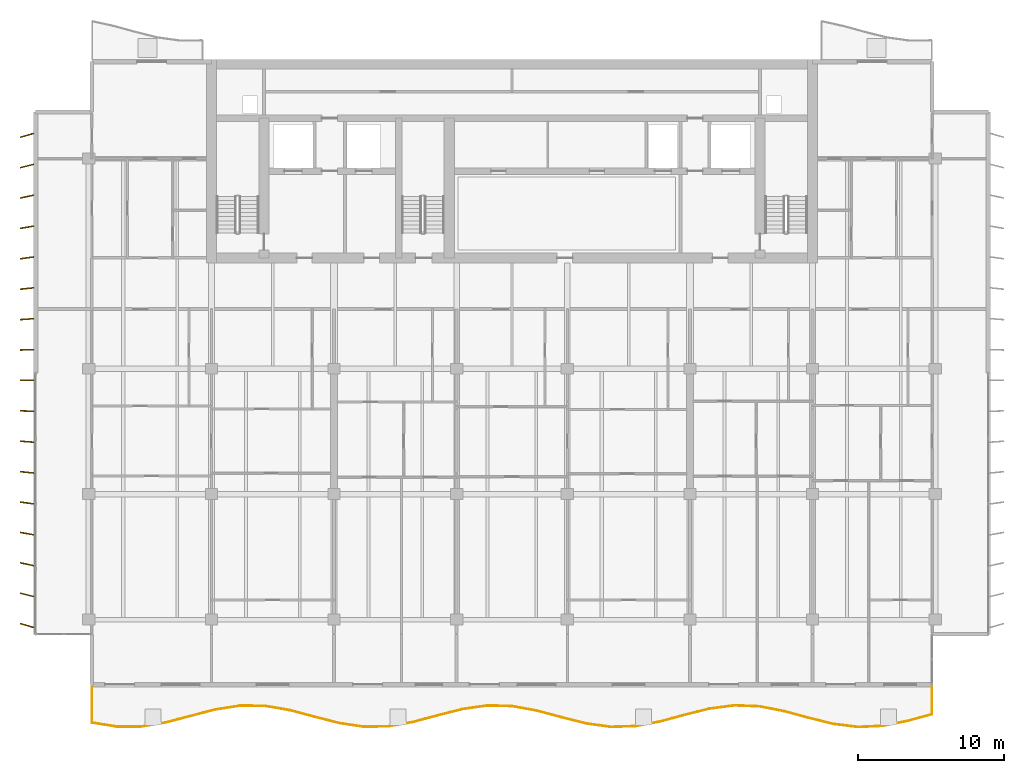
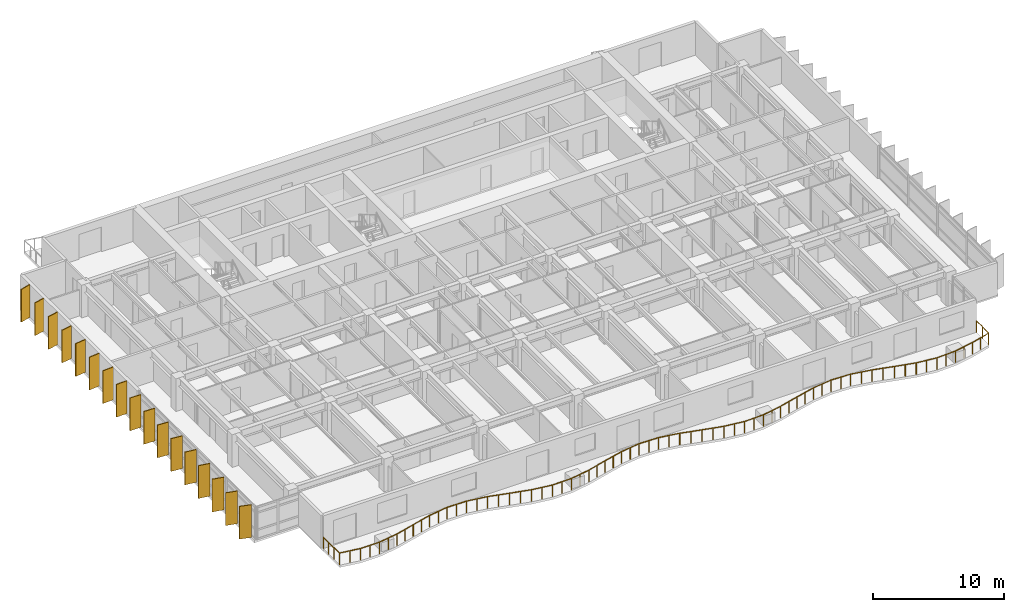
# One storey, part 16 of 19: 17 shading devices, 1 railing.
"""IFC4 building model written with IfcOpenShell, lengths in metres."""

from ifc_helpers import new_model, si_unit, direction, frame, origin, origin_2d, place, context, subcontext, project, spatial, rectangle, circle, extrude, material, material_profile, profile_set, type_object, element, save


model = new_model("IFC4")

# Units and contexts
model_context = context("Model", 3, precision=1e-05, world=origin(), true_north=direction((0.0, 1.0)))
body_context = subcontext(model_context, "Body", "Model", "MODEL_VIEW")
ifc_project = project(units=[si_unit("LENGTHUNIT", "METRE"), si_unit("AREAUNIT", "SQUARE_METRE"), si_unit("VOLUMEUNIT", "CUBIC_METRE"), si_unit("PLANEANGLEUNIT", "RADIAN"), si_unit("MASSUNIT", "GRAM", prefix="KILO")], contexts=[model_context])

# Site, building, storey
site_placement = place(None, origin())
site = spatial("IfcSite", under=ifc_project, at=site_placement, CompositionType="ELEMENT")
building_placement = place(site_placement, origin())
building = spatial("IfcBuilding", under=site, at=building_placement, Name="Caelmar Bay Residences", CompositionType="ELEMENT")
storey_placement = place(building_placement, frame((0.0, 0.0, 195.0)))
storey = spatial("IfcBuildingStorey", under=building, at=storey_placement, Name="L54", CompositionType="ELEMENT", Elevation=195.0)

# Railing
ifc_material_1 = material(Name="Anodised bronze handrail with laminated hurricane glass infill", Category="glass")
railing_type = type_object("IfcRailingType", Name="RL-BAL-1100", PredefinedType="BALUSTRADE", material=ifc_material_1)
railing_placement = place(storey_placement, frame((10.10009765625, 7.60009765625, 0.0)))
element("IfcRailing", 1, at=railing_placement, inside=storey, type_object=railing_type, Name="L54 south Balcony Balustrade", PredefinedType="BALUSTRADE", context=body_context, shape_type="SweptSolid", body=[
    extrude(circle(Radius=0.02392578125, at=origin_2d()), frame((0.0, 0.0, 1.076171875), z_axis=(0.0, -1.0, 0.0), x_axis=(1.0, 0.0, 0.0)), (0.0, 0.0, 1.0), 2.4609375),
    extrude(circle(Radius=0.02392578125, at=origin_2d()), frame((0.0, -2.4609375, 1.076171875), z_axis=(0.987200688163, -0.159482918494, 0.0), x_axis=(0.159482918494, 0.987200688163, 0.0)), (0.0, 0.0, 1.0), 1.716064453125),
    extrude(circle(Radius=0.02392578125, at=origin_2d()), frame((1.694091796875, -2.734619140625, 1.076171875), z_axis=(0.999997663546, 0.002161689718, 0.0), x_axis=(-0.002161689718, 0.999997663546, 0.0)), (0.0, 0.0, 1.0), 1.694091796875),
    extrude(circle(Radius=0.02392578125, at=origin_2d()), frame((3.38818359375, -2.73095703125, 1.076171875), z_axis=(0.986657806254, 0.162807780395, 0.0), x_axis=(-0.162807780395, 0.986657806254, 0.0)), (0.0, 0.0, 1.0), 1.717041015625),
    extrude(circle(Radius=0.02392578125, at=origin_2d()), frame((5.082275390625, -2.451416015625, 1.076171875), z_axis=(0.96690465537, 0.255137977228, 0.0), x_axis=(-0.255137977228, 0.96690465537, 0.0)), (0.0, 0.0, 1.0), 1.752197265625),
    extrude(circle(Radius=0.02392578125, at=origin_2d()), frame((6.7763671875, -2.00439453125, 1.076171875), z_axis=(0.967759300858, 0.25187682625, 0.0), x_axis=(-0.25187682625, 0.967759300858, 0.0)), (0.0, 0.0, 1.0), 1.75048828125),
    extrude(circle(Radius=0.02392578125, at=origin_2d()), frame((8.470458984375, -1.5634765625, 1.076171875), z_axis=(0.988103488903, 0.153790426288, 0.0), x_axis=(-0.153790426288, 0.988103488903, 0.0)), (0.0, 0.0, 1.0), 1.714599609375),
    extrude(circle(Radius=0.02392578125, at=origin_2d()), frame((10.16455078125, -1.2998046875, 1.076171875), z_axis=(0.999954769162, -0.009511026771, 0.0), x_axis=(0.009511026771, 0.999954769162, 0.0)), (0.0, 0.0, 1.0), 1.694091796875),
    extrude(circle(Radius=0.02392578125, at=origin_2d()), frame((11.858642578125, -1.31591796875, 1.076171875), z_axis=(0.985729527145, -0.168336862612, 0.0), x_axis=(0.168336862612, 0.985729527145, 0.0)), (0.0, 0.0, 1.0), 1.718505859375),
    extrude(circle(Radius=0.02392578125, at=origin_2d()), frame((13.552734375, -1.605224609375, 1.076171875), z_axis=(0.966431118361, -0.256925852072, 0.0), x_axis=(0.256925852072, 0.966431118361, 0.0)), (0.0, 0.0, 1.0), 1.753173828125),
    extrude(circle(Radius=0.02392578125, at=origin_2d()), frame((15.2470703125, -2.0556640625, 1.076171875), z_axis=(0.968335023776, -0.249654324475, 0.0), x_axis=(0.249654324475, 0.968335023776, 0.0)), (0.0, 0.0, 1.0), 1.74951171875),
    extrude(circle(Radius=0.02392578125, at=origin_2d()), frame((16.941162109375, -2.492431640625, 1.076171875), z_axis=(0.989016707165, -0.147803764999, 0.0), x_axis=(0.147803764999, 0.989016707165, 0.0)), (0.0, 0.0, 1.0), 1.712890625),
    extrude(circle(Radius=0.02392578125, at=origin_2d()), frame((18.63525390625, -2.74560546875, 1.076171875), z_axis=(0.99986029846, 0.016714770806, 0.0), x_axis=(-0.016714770806, 0.99986029846, 0.0)), (0.0, 0.0, 1.0), 1.6943359375),
    extrude(circle(Radius=0.02392578125, at=origin_2d()), frame((20.329345703125, -2.71728515625, 1.076171875), z_axis=(0.984772127014, 0.173850101685, 0.0), x_axis=(-0.173850101685, 0.984772127014, 0.0)), (0.0, 0.0, 1.0), 1.72021484375),
    extrude(circle(Radius=0.02392578125, at=origin_2d()), frame((22.0234375, -2.418212890625, 1.076171875), z_axis=(0.965971035188, 0.258650264214, 0.0), x_axis=(-0.258650264214, 0.965971035188, 0.0)), (0.0, 0.0, 1.0), 1.753662109375),
    extrude(circle(Radius=0.02392578125, at=origin_2d()), frame((23.717529296875, -1.964599609375, 1.076171875), z_axis=(0.969006670271, 0.247034558252, 0.0), x_axis=(-0.247034558252, 0.969006670271, 0.0)), (0.0, 0.0, 1.0), 1.748291015625),
    extrude(circle(Radius=0.02392578125, at=origin_2d()), frame((25.41162109375, -1.53271484375, 1.076171875), z_axis=(0.989875177467, 0.141940596855, 0.0), x_axis=(-0.141940596855, 0.989875177467, 0.0)), (0.0, 0.0, 1.0), 1.71142578125),
    extrude(circle(Radius=0.02392578125, at=origin_2d()), frame((27.105712890625, -1.289794921875, 1.076171875), z_axis=(0.99971051867, -0.024059901516, 0.0), x_axis=(0.024059901516, 0.99971051867, 0.0)), (0.0, 0.0, 1.0), 1.694580078125),
    extrude(circle(Radius=0.02392578125, at=origin_2d()), frame((28.7998046875, -1.33056640625, 1.076171875), z_axis=(0.983835864254, -0.179072589214, 0.0), x_axis=(0.179072589214, 0.983835864254, 0.0)), (0.0, 0.0, 1.0), 1.721923828125),
    extrude(circle(Radius=0.02392578125, at=origin_2d()), frame((30.493896484375, -1.638916015625, 1.076171875), z_axis=(0.965587538221, -0.26007826905, 0.0), x_axis=(0.26007826905, 0.965587538221, 0.0)), (0.0, 0.0, 1.0), 1.75439453125),
    extrude(circle(Radius=0.02392578125, at=origin_2d()), frame((32.18798828125, -2.09521484375, 1.076171875), z_axis=(0.96964737028, -0.244507622189, 0.0), x_axis=(0.244507622189, 0.96964737028, 0.0)), (0.0, 0.0, 1.0), 1.747314453125),
    extrude(circle(Radius=0.02392578125, at=origin_2d()), frame((33.88232421875, -2.5224609375, 1.076171875), z_axis=(0.990738714669, -0.135782175767, 0.0), x_axis=(0.135782175767, 0.990738714669, 0.0)), (0.0, 0.0, 1.0), 1.7099609375),
    extrude(circle(Radius=0.02392578125, at=origin_2d()), frame((35.576416015625, -2.754638671875, 1.076171875), z_axis=(0.999511373188, 0.031257237063, 0.0), x_axis=(-0.031257237063, 0.999511373188, 0.0)), (0.0, 0.0, 1.0), 1.69482421875),
    extrude(circle(Radius=0.02392578125, at=origin_2d()), frame((37.2705078125, -2.70166015625, 1.076171875), z_axis=(0.982899436849, 0.184143142802, 0.0), x_axis=(-0.184143142802, 0.982899436849, 0.0)), (0.0, 0.0, 1.0), 1.7236328125),
    extrude(circle(Radius=0.02392578125, at=origin_2d()), frame((38.964599609375, -2.38427734375, 1.076171875), z_axis=(0.965202237959, 0.261504569443, 0.0), x_axis=(-0.261504569443, 0.965202237959, 0.0)), (0.0, 0.0, 1.0), 1.755126953125),
    extrude(circle(Radius=0.02392578125, at=origin_2d()), frame((40.65869140625, -1.92529296875, 1.076171875), z_axis=(0.970331396698, 0.241778784391, 0.0), x_axis=(-0.241778784391, 0.970331396698, 0.0)), (0.0, 0.0, 1.0), 1.745849609375),
    extrude(circle(Radius=0.02392578125, at=origin_2d()), frame((42.352783203125, -1.503173828125, 1.076171875), z_axis=(0.99156771433, 0.129589613386, 0.0), x_axis=(-0.129589613386, 0.99156771433, 0.0)), (0.0, 0.0, 1.0), 1.708740234375),
    extrude(circle(Radius=0.02392578125, at=origin_2d()), frame((44.047119140625, -1.28173828125, 1.076171875), z_axis=(0.999260536356, -0.038449713677, 0.0), x_axis=(0.038449713677, 0.999260536356, 0.0)), (0.0, 0.0, 1.0), 1.6953125),
    extrude(circle(Radius=0.02392578125, at=origin_2d()), frame((45.7412109375, -1.346923828125, 1.076171875), z_axis=(0.981938757923, -0.189199037231, 0.0), x_axis=(0.189199037231, 0.981938757923, 0.0)), (0.0, 0.0, 1.0), 1.725341796875),
    extrude(circle(Radius=0.02392578125, at=origin_2d()), frame((47.435302734375, -1.67333984375, 1.076171875), z_axis=(0.964885656026, -0.262670270101, 0.0), x_axis=(0.262670270101, 0.964885656026, 0.0)), (0.0, 0.0, 1.0), 1.755859375),
    extrude(circle(Radius=0.02392578125, at=origin_2d()), frame((49.12939453125, -2.134521484375, 1.076171875), z_axis=(0.971081799803, -0.238747016928, 0.0), x_axis=(0.238747016928, 0.971081799803, 0.0)), (0.0, 0.0, 1.0), 1.74462890625),
    extrude(circle(Radius=0.02392578125, at=origin_2d()), frame((50.823486328125, -2.551025390625, 1.076171875), z_axis=(0.992354691508, -0.123418662454, 0.0), x_axis=(0.123418662454, 0.992354691508, 0.0)), (0.0, 0.0, 1.0), 1.70703125),
    extrude(circle(Radius=0.02392578125, at=origin_2d()), frame((52.517578125, -2.76171875, 1.076171875), z_axis=(0.998958124993, 0.045636219286, 0.0), x_axis=(-0.045636219286, 0.998958124993, 0.0)), (0.0, 0.0, 1.0), 1.69580078125),
    extrude(circle(Radius=0.02392578125, at=origin_2d()), frame((54.211669921875, -2.684326171875, 1.076171875), z_axis=(0.98098097861, 0.194103888692, 0.0), x_axis=(-0.194103888692, 0.98098097861, 0.0)), (0.0, 0.0, 1.0), 1.72705078125),
    extrude(circle(Radius=0.02392578125, at=origin_2d()), frame((55.90576171875, -2.34912109375, 1.076171875), z_axis=(0.964638596913, 0.263576131971, 0.0), x_axis=(-0.263576131971, 0.964638596913, 0.0)), (0.0, 0.0, 1.0), 1.756103515625),
    extrude(circle(Radius=0.02392578125, at=origin_2d()), frame((57.599853515625, -1.88623046875, 1.076171875), z_axis=(0.0, 1.0, 0.0), x_axis=(-1.0, 0.0, 0.0)), (0.0, 0.0, 1.0), 1.88623046875),
    extrude(circle(Radius=0.02099609375, at=origin_2d()), origin(), (0.0, 0.0, 1.0), 1.052001953125),
    extrude(circle(Radius=0.02099609375, at=origin_2d()), frame((0.0, -0.8203125, 0.0)), (0.0, 0.0, 1.0), 1.052001953125),
    extrude(circle(Radius=0.02099609375, at=origin_2d()), frame((0.0, -1.640625, 0.0)), (0.0, 0.0, 1.0), 1.052001953125),
    extrude(circle(Radius=0.02099609375, at=origin_2d()), frame((0.0, -2.4609375, 0.0)), (0.0, 0.0, 1.0), 1.052001953125),
    extrude(circle(Radius=0.02099609375, at=origin_2d()), frame((0.84716796875, -2.59765625, 0.0)), (0.0, 0.0, 1.0), 1.052001953125),
    extrude(circle(Radius=0.02099609375, at=origin_2d()), frame((1.694091796875, -2.734619140625, 0.0)), (0.0, 0.0, 1.0), 1.052001953125),
    extrude(circle(Radius=0.02099609375, at=origin_2d()), frame((2.541015625, -2.73291015625, 0.0)), (0.0, 0.0, 1.0), 1.052001953125),
    extrude(circle(Radius=0.02099609375, at=origin_2d()), frame((3.38818359375, -2.73095703125, 0.0)), (0.0, 0.0, 1.0), 1.052001953125),
    extrude(circle(Radius=0.02099609375, at=origin_2d()), frame((4.2353515625, -2.59130859375, 0.0)), (0.0, 0.0, 1.0), 1.052001953125),
    extrude(circle(Radius=0.02099609375, at=origin_2d()), frame((5.082275390625, -2.451416015625, 0.0)), (0.0, 0.0, 1.0), 1.052001953125),
    extrude(circle(Radius=0.02099609375, at=origin_2d()), frame((5.92919921875, -2.22802734375, 0.0)), (0.0, 0.0, 1.0), 1.052001953125),
    extrude(circle(Radius=0.02099609375, at=origin_2d()), frame((6.7763671875, -2.00439453125, 0.0)), (0.0, 0.0, 1.0), 1.052001953125),
    extrude(circle(Radius=0.02099609375, at=origin_2d()), frame((7.62353515625, -1.783935546875, 0.0)), (0.0, 0.0, 1.0), 1.052001953125),
    extrude(circle(Radius=0.02099609375, at=origin_2d()), frame((8.470458984375, -1.5634765625, 0.0)), (0.0, 0.0, 1.0), 1.052001953125),
    extrude(circle(Radius=0.02099609375, at=origin_2d()), frame((9.3173828125, -1.431640625, 0.0)), (0.0, 0.0, 1.0), 1.052001953125),
    extrude(circle(Radius=0.02099609375, at=origin_2d()), frame((10.16455078125, -1.2998046875, 0.0)), (0.0, 0.0, 1.0), 1.052001953125),
    extrude(circle(Radius=0.02099609375, at=origin_2d()), frame((11.01171875, -1.307861328125, 0.0)), (0.0, 0.0, 1.0), 1.052001953125),
    extrude(circle(Radius=0.02099609375, at=origin_2d()), frame((11.858642578125, -1.31591796875, 0.0)), (0.0, 0.0, 1.0), 1.052001953125),
    extrude(circle(Radius=0.02099609375, at=origin_2d()), frame((12.70556640625, -1.46044921875, 0.0)), (0.0, 0.0, 1.0), 1.052001953125),
    extrude(circle(Radius=0.02099609375, at=origin_2d()), frame((13.552734375, -1.605224609375, 0.0)), (0.0, 0.0, 1.0), 1.052001953125),
    extrude(circle(Radius=0.02099609375, at=origin_2d()), frame((14.39990234375, -1.83056640625, 0.0)), (0.0, 0.0, 1.0), 1.052001953125),
    extrude(circle(Radius=0.02099609375, at=origin_2d()), frame((15.2470703125, -2.0556640625, 0.0)), (0.0, 0.0, 1.0), 1.052001953125),
    extrude(circle(Radius=0.02099609375, at=origin_2d()), frame((16.09423828125, -2.27392578125, 0.0)), (0.0, 0.0, 1.0), 1.052001953125),
    extrude(circle(Radius=0.02099609375, at=origin_2d()), frame((16.941162109375, -2.492431640625, 0.0)), (0.0, 0.0, 1.0), 1.052001953125),
    extrude(circle(Radius=0.02099609375, at=origin_2d()), frame((17.7880859375, -2.619140625, 0.0)), (0.0, 0.0, 1.0), 1.052001953125),
    extrude(circle(Radius=0.02099609375, at=origin_2d()), frame((18.63525390625, -2.74560546875, 0.0)), (0.0, 0.0, 1.0), 1.052001953125),
    extrude(circle(Radius=0.02099609375, at=origin_2d()), frame((19.482421875, -2.7314453125, 0.0)), (0.0, 0.0, 1.0), 1.052001953125),
    extrude(circle(Radius=0.02099609375, at=origin_2d()), frame((20.329345703125, -2.71728515625, 0.0)), (0.0, 0.0, 1.0), 1.052001953125),
    extrude(circle(Radius=0.02099609375, at=origin_2d()), frame((21.17626953125, -2.56787109375, 0.0)), (0.0, 0.0, 1.0), 1.052001953125),
    extrude(circle(Radius=0.02099609375, at=origin_2d()), frame((22.0234375, -2.418212890625, 0.0)), (0.0, 0.0, 1.0), 1.052001953125),
    extrude(circle(Radius=0.02099609375, at=origin_2d()), frame((22.87060546875, -2.19140625, 0.0)), (0.0, 0.0, 1.0), 1.052001953125),
    extrude(circle(Radius=0.02099609375, at=origin_2d()), frame((23.717529296875, -1.964599609375, 0.0)), (0.0, 0.0, 1.0), 1.052001953125),
    extrude(circle(Radius=0.02099609375, at=origin_2d()), frame((24.564453125, -1.74853515625, 0.0)), (0.0, 0.0, 1.0), 1.052001953125),
    extrude(circle(Radius=0.02099609375, at=origin_2d()), frame((25.41162109375, -1.53271484375, 0.0)), (0.0, 0.0, 1.0), 1.052001953125),
    extrude(circle(Radius=0.02099609375, at=origin_2d()), frame((26.2587890625, -1.4111328125, 0.0)), (0.0, 0.0, 1.0), 1.052001953125),
    extrude(circle(Radius=0.02099609375, at=origin_2d()), frame((27.105712890625, -1.289794921875, 0.0)), (0.0, 0.0, 1.0), 1.052001953125),
    extrude(circle(Radius=0.02099609375, at=origin_2d()), frame((27.95263671875, -1.31005859375, 0.0)), (0.0, 0.0, 1.0), 1.052001953125),
    extrude(circle(Radius=0.02099609375, at=origin_2d()), frame((28.7998046875, -1.33056640625, 0.0)), (0.0, 0.0, 1.0), 1.052001953125),
    extrude(circle(Radius=0.02099609375, at=origin_2d()), frame((29.64697265625, -1.48486328125, 0.0)), (0.0, 0.0, 1.0), 1.052001953125),
    extrude(circle(Radius=0.02099609375, at=origin_2d()), frame((30.493896484375, -1.638916015625, 0.0)), (0.0, 0.0, 1.0), 1.052001953125),
    extrude(circle(Radius=0.02099609375, at=origin_2d()), frame((31.3408203125, -1.8671875, 0.0)), (0.0, 0.0, 1.0), 1.052001953125),
    extrude(circle(Radius=0.02099609375, at=origin_2d()), frame((32.18798828125, -2.09521484375, 0.0)), (0.0, 0.0, 1.0), 1.052001953125),
    extrude(circle(Radius=0.02099609375, at=origin_2d()), frame((33.03515625, -2.308837890625, 0.0)), (0.0, 0.0, 1.0), 1.052001953125),
    extrude(circle(Radius=0.02099609375, at=origin_2d()), frame((33.88232421875, -2.5224609375, 0.0)), (0.0, 0.0, 1.0), 1.052001953125),
    extrude(circle(Radius=0.02099609375, at=origin_2d()), frame((34.7294921875, -2.638671875, 0.0)), (0.0, 0.0, 1.0), 1.052001953125),
    extrude(circle(Radius=0.02099609375, at=origin_2d()), frame((35.576416015625, -2.754638671875, 0.0)), (0.0, 0.0, 1.0), 1.052001953125),
    extrude(circle(Radius=0.02099609375, at=origin_2d()), frame((36.42333984375, -2.72802734375, 0.0)), (0.0, 0.0, 1.0), 1.052001953125),
    extrude(circle(Radius=0.02099609375, at=origin_2d()), frame((37.2705078125, -2.70166015625, 0.0)), (0.0, 0.0, 1.0), 1.052001953125),
    extrude(circle(Radius=0.02099609375, at=origin_2d()), frame((38.11767578125, -2.54296875, 0.0)), (0.0, 0.0, 1.0), 1.052001953125),
    extrude(circle(Radius=0.02099609375, at=origin_2d()), frame((38.964599609375, -2.38427734375, 0.0)), (0.0, 0.0, 1.0), 1.052001953125),
    extrude(circle(Radius=0.02099609375, at=origin_2d()), frame((39.8115234375, -2.15478515625, 0.0)), (0.0, 0.0, 1.0), 1.052001953125),
    extrude(circle(Radius=0.02099609375, at=origin_2d()), frame((40.65869140625, -1.92529296875, 0.0)), (0.0, 0.0, 1.0), 1.052001953125),
    extrude(circle(Radius=0.02099609375, at=origin_2d()), frame((41.505859375, -1.71435546875, 0.0)), (0.0, 0.0, 1.0), 1.052001953125),
    extrude(circle(Radius=0.02099609375, at=origin_2d()), frame((42.352783203125, -1.503173828125, 0.0)), (0.0, 0.0, 1.0), 1.052001953125),
    extrude(circle(Radius=0.02099609375, at=origin_2d()), frame((43.199951171875, -1.392578125, 0.0)), (0.0, 0.0, 1.0), 1.052001953125),
    extrude(circle(Radius=0.02099609375, at=origin_2d()), frame((44.047119140625, -1.28173828125, 0.0)), (0.0, 0.0, 1.0), 1.052001953125),
    extrude(circle(Radius=0.02099609375, at=origin_2d()), frame((44.89404296875, -1.314453125, 0.0)), (0.0, 0.0, 1.0), 1.052001953125),
    extrude(circle(Radius=0.02099609375, at=origin_2d()), frame((45.7412109375, -1.346923828125, 0.0)), (0.0, 0.0, 1.0), 1.052001953125),
    extrude(circle(Radius=0.02099609375, at=origin_2d()), frame((46.58837890625, -1.51025390625, 0.0)), (0.0, 0.0, 1.0), 1.052001953125),
    extrude(circle(Radius=0.02099609375, at=origin_2d()), frame((47.435302734375, -1.67333984375, 0.0)), (0.0, 0.0, 1.0), 1.052001953125),
    extrude(circle(Radius=0.02099609375, at=origin_2d()), frame((48.2822265625, -1.90380859375, 0.0)), (0.0, 0.0, 1.0), 1.052001953125),
    extrude(circle(Radius=0.02099609375, at=origin_2d()), frame((49.12939453125, -2.134521484375, 0.0)), (0.0, 0.0, 1.0), 1.052001953125),
    extrude(circle(Radius=0.02099609375, at=origin_2d()), frame((49.9765625, -2.3427734375, 0.0)), (0.0, 0.0, 1.0), 1.052001953125),
    extrude(circle(Radius=0.02099609375, at=origin_2d()), frame((50.823486328125, -2.551025390625, 0.0)), (0.0, 0.0, 1.0), 1.052001953125),
    extrude(circle(Radius=0.02099609375, at=origin_2d()), frame((51.67041015625, -2.65625, 0.0)), (0.0, 0.0, 1.0), 1.052001953125),
    extrude(circle(Radius=0.02099609375, at=origin_2d()), frame((52.517578125, -2.76171875, 0.0)), (0.0, 0.0, 1.0), 1.052001953125),
    extrude(circle(Radius=0.02099609375, at=origin_2d()), frame((53.36474609375, -2.72314453125, 0.0)), (0.0, 0.0, 1.0), 1.052001953125),
    extrude(circle(Radius=0.02099609375, at=origin_2d()), frame((54.211669921875, -2.684326171875, 0.0)), (0.0, 0.0, 1.0), 1.052001953125),
    extrude(circle(Radius=0.02099609375, at=origin_2d()), frame((55.05859375, -2.5166015625, 0.0)), (0.0, 0.0, 1.0), 1.052001953125),
    extrude(circle(Radius=0.02099609375, at=origin_2d()), frame((55.90576171875, -2.34912109375, 0.0)), (0.0, 0.0, 1.0), 1.052001953125),
    extrude(circle(Radius=0.02099609375, at=origin_2d()), frame((56.7529296875, -2.11767578125, 0.0)), (0.0, 0.0, 1.0), 1.052001953125),
    extrude(circle(Radius=0.02099609375, at=origin_2d()), frame((57.599853515625, -1.88623046875, 0.0)), (0.0, 0.0, 1.0), 1.052001953125),
    extrude(circle(Radius=0.02099609375, at=origin_2d()), frame((57.599853515625, -0.943115234375, 0.0)), (0.0, 0.0, 1.0), 1.052001953125),
    extrude(circle(Radius=0.02099609375, at=origin_2d()), frame((57.599853515625, 0.0, 0.0)), (0.0, 0.0, 1.0), 1.052001953125),
])

# Shading devices
ifc_material_2 = material(Name="Anodised architectural bronze aluminium 6063-T6", Category="aluminium")
ifc_material_profile = material_profile(ifc_material_2, rectangle(XDim=0.074951171875, YDim=0.949951171875, at=origin_2d()), Name="BRONZE-FIN-75X950")
ifc_profile_set = profile_set([ifc_material_profile], Name="Anodised architectural bronze aluminium 6063-T6")
shading_device_type = type_object("IfcShadingDeviceType", Name="SHD-FIN-950", PredefinedType="USERDEFINED", material=ifc_profile_set)
for number, where, z_axis, x_axis, name in (
    (2, (5.64990234375, 11.800048828125, 0.0), (0.0, 0.0, 1.0), (0.275637355817, 0.961261695938, 0.0), "L54 West Bronze Solar Fin 1"),
    (3, (5.64990234375, 13.89990234375, 0.0), (0.0, 0.0, 1.0), (0.2419218956, 0.970295726276, 0.0), "L54 West Bronze Solar Fin 2"),
    (4, (5.64990234375, 16.0, 0.0), (0.0, 0.0, 1.0), (0.207911690818, 0.978147600734, 0.0), "L54 West Bronze Solar Fin 3"),
    (5, (5.64990234375, 18.10009765625, 0.0), (0.0, 0.0, 1.0), (0.173648177667, 0.984807753012, 0.0), "L54 West Bronze Solar Fin 4"),
    (6, (5.64990234375, 20.199951171875, 0.0), (0.0, 0.0, 1.0), (0.13917310096, 0.990268068742, 0.0), "L54 West Bronze Solar Fin 5"),
    (7, (5.64990234375, 22.300048828125, 0.0), (0.0, 0.0, 1.0), (0.104528463268, 0.994521895368, 0.0), "L54 West Bronze Solar Fin 6"),
    (8, (5.64990234375, 24.39990234375, 0.0), (0.0, 0.0, 1.0), (0.069756473744, 0.99756405026, 0.0), "L54 West Bronze Solar Fin 7"),
    (9, (5.64990234375, 26.5, 0.0), (0.0, 0.0, 1.0), (0.034899496703, 0.999390827019, 0.0), "L54 West Bronze Solar Fin 8"),
    (10, (5.64990234375, 28.60009765625, 0.0), (0.0, 0.0, 1.0), (0.0, 1.0, 0.0), "L54 West Bronze Solar Fin 9"),
    (11, (5.64990234375, 30.699951171875, 0.0), (0.0, 0.0, 1.0), (-0.034899496703, 0.999390827019, 0.0), "L54 West Bronze Solar Fin 10"),
    (12, (5.64990234375, 32.800048828125, 0.0), (0.0, 0.0, 1.0), (-0.069756473744, 0.99756405026, 0.0), "L54 West Bronze Solar Fin 11"),
    (13, (5.64990234375, 34.89990234375, 0.0), (0.0, 0.0, 1.0), (-0.104528463268, 0.994521895368, 0.0), "L54 West Bronze Solar Fin 12"),
    (14, (5.64990234375, 37.0, 0.0), (0.0, 0.0, 1.0), (-0.13917310096, 0.990268068742, 0.0), "L54 West Bronze Solar Fin 13"),
    (15, (5.64990234375, 39.10009765625, 0.0), (0.0, 0.0, 1.0), (-0.173648177667, 0.984807753012, 0.0), "L54 West Bronze Solar Fin 14"),
    (16, (5.64990234375, 41.199951171875, 0.0), (0.0, 0.0, 1.0), (-0.207911690818, 0.978147600734, 0.0), "L54 West Bronze Solar Fin 15"),
    (17, (5.64990234375, 43.300048828125, 0.0), (0.0, 0.0, 1.0), (-0.2419218956, 0.970295726276, 0.0), "L54 West Bronze Solar Fin 16"),
    (18, (5.64990234375, 45.39990234375, 0.0), (0.0, 0.0, 1.0), (-0.275637355817, 0.961261695938, 0.0), "L54 West Bronze Solar Fin 17"),
):
    element("IfcShadingDevice", number, at=place(storey_placement, frame(where, z_axis=z_axis, x_axis=x_axis)), inside=storey, type_object=shading_device_type, Name=name, ObjectType="FIN", PredefinedType="USERDEFINED", context=body_context, shape_type="SweptSolid", body=[
        extrude(rectangle(XDim=0.074951171875, YDim=0.949951171875, at=origin_2d()), origin(), (0.0, 0.0, 1.0), 3.050048828125),
    ])

save(model, "model.ifc")
